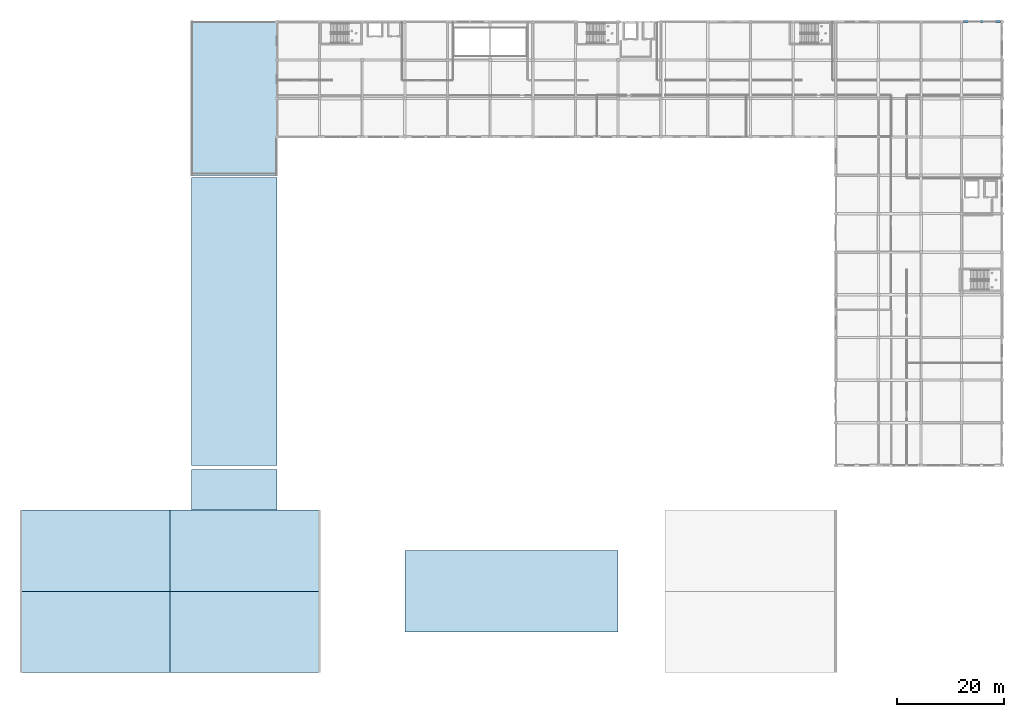
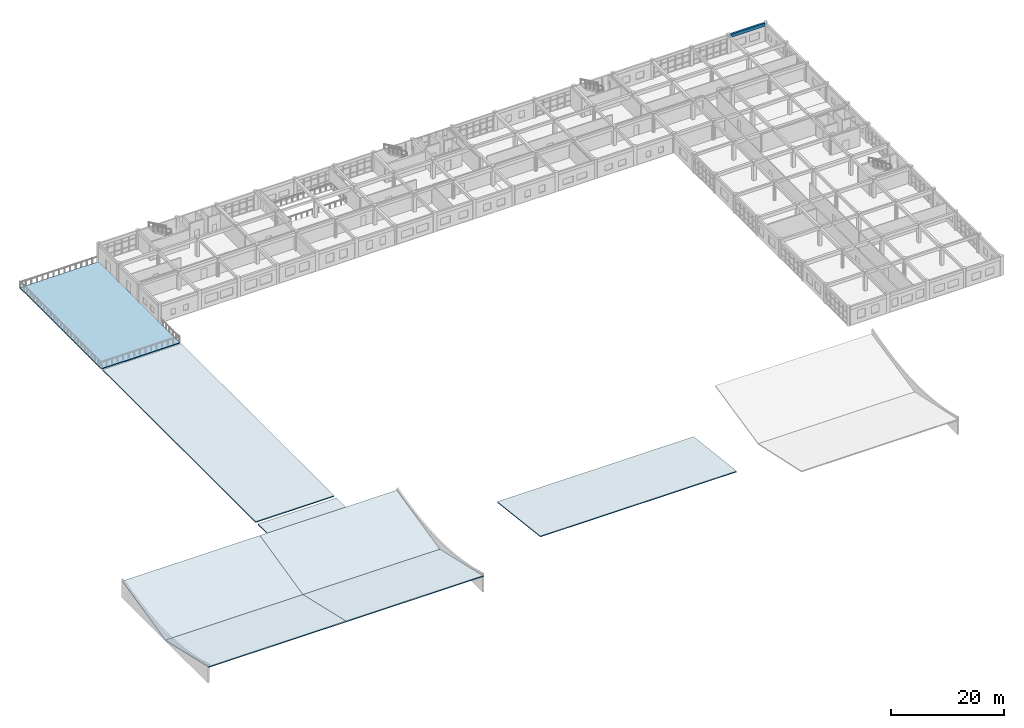
# One storey, part 34 of 53: 8 slabs, 1 beam.
"""IFC4 building model written with IfcOpenShell, lengths in metres."""

import ifcopenshell
import ifcopenshell.guid

model = None  # the IFC model being written
_history = None  # IfcOwnerHistory: only IFC2X3 demands one
_inside = {}  # id of a spatial element -> (the spatial element, [elements in it])
_under = {}  # id of a project, library or spatial element -> (it, [spatial elements below it])
_declared = {}  # id of a project -> (the project, [libraries it declares])
_typed = {}  # id of a type object -> (the type object, [elements of that type])
_made_of = {}  # id of a material, layer set ... -> (it, [elements and type objects made of it])


def new_model(schema):
    """Start an empty IFC model of exactly this schema.

    Asked for "IFC4X3", IfcOpenShell would pick the latest addendum, in which some entities
    have other attributes; the version numbers below select the first issue.
    IFC2X3 requires an IfcOwnerHistory on every rooted entity: one is made here for all.
    """
    global model, _history
    if schema == "IFC4X3":
        model = ifcopenshell.file(schema_version=(4, 3, 0, 0))
    else:
        model = ifcopenshell.file(schema=schema)
    _inside.clear()
    _under.clear()
    _declared.clear()
    _typed.clear()
    _made_of.clear()
    _history = None
    if model.schema == "IFC2X3":
        org = make("IfcOrganization", Name="unknown")
        user = make(
            "IfcPersonAndOrganization",
            ThePerson=make("IfcPerson", FamilyName="unknown"),
            TheOrganization=org,
        )
        app = make(
            "IfcApplication",
            ApplicationDeveloper=org,
            Version="unknown",
            ApplicationFullName="unknown",
            ApplicationIdentifier="unknown",
        )
        _history = make(
            "IfcOwnerHistory",
            OwningUser=user,
            OwningApplication=app,
            ChangeAction="ADDED",
            CreationDate=0,
        )
    return model


def make(cls, **values):
    """One entity of the class cls with the attributes given. An attribute that is None is left unset."""
    return model.create_entity(
        cls, **{name: value for name, value in values.items() if value is not None}
    )


def rooted(cls, **values):
    """An entity with a GlobalId (a new one), such as an element, a storey or a relation."""
    return make(cls, GlobalId=ifcopenshell.guid.new(), OwnerHistory=_history, **values)


def si_unit(unit_type, name, prefix=None):
    """IfcSIUnit, for example si_unit("LENGTHUNIT", "METRE", prefix="MILLI")."""
    return make("IfcSIUnit", UnitType=unit_type, Prefix=prefix, Name=name)


def assignment(units):
    """IfcUnitAssignment: the units of a project."""
    return None if units is None else make("IfcUnitAssignment", Units=units)


def point(xyz):
    """IfcCartesianPoint."""
    return None if xyz is None else make("IfcCartesianPoint", Coordinates=xyz)


def direction(xyz):
    """IfcDirection."""
    return None if xyz is None else make("IfcDirection", DirectionRatios=xyz)


def frame(location, z_axis=None, x_axis=None):
    """IfcAxis2Placement3D, a coordinate frame: its origin and axes. An axis left out is left unset."""
    return make(
        "IfcAxis2Placement3D",
        Location=point(location),
        Axis=direction(z_axis),
        RefDirection=direction(x_axis),
    )


def frame_2d(location, x_axis=None):
    """IfcAxis2Placement2D, a coordinate frame in the plane: its origin and x axis."""
    return make(
        "IfcAxis2Placement2D", Location=point(location), RefDirection=direction(x_axis)
    )


def origin():
    """The frame at (0, 0, 0) with its axes left unset."""
    return frame((0.0, 0.0, 0.0))


def origin_2d():
    """The frame at (0, 0) in the plane with its x axis left unset."""
    return frame_2d((0.0, 0.0))


def place(relative_to, where):
    """IfcLocalPlacement: puts the frame where relative to a parent placement (None: the world)."""
    return make(
        "IfcLocalPlacement", PlacementRelTo=relative_to, RelativePlacement=where
    )


def context(
    kind, dimensions, precision=None, world=None, true_north=None, identifier=None
):
    """IfcGeometricRepresentationContext, for example the 3D "Model" context."""
    return make(
        "IfcGeometricRepresentationContext",
        ContextIdentifier=identifier,
        ContextType=kind,
        CoordinateSpaceDimension=dimensions,
        Precision=precision,
        WorldCoordinateSystem=world,
        TrueNorth=true_north,
    )


def subcontext(parent, identifier, kind, view, scale=None):
    """IfcGeometricRepresentationSubContext, for example "Body" below "Model"."""
    return make(
        "IfcGeometricRepresentationSubContext",
        ContextIdentifier=identifier,
        ContextType=kind,
        ParentContext=parent,
        TargetScale=scale,
        TargetView=view,
    )


def project(units=None, contexts=None):
    """IfcProject with its units and contexts."""
    return rooted(
        "IfcProject",
        Name="project",
        RepresentationContexts=contexts,
        UnitsInContext=assignment(units),
    )


def spatial(cls, under=None, at=None, **own):
    """A site, building, storey or space (cls), placed at a placement, below another one or the project."""
    s = rooted(cls, ObjectPlacement=at, **own)
    if under is not None:
        _under.setdefault(under.id(), (under, []))[1].append(s)
    return s


def polyline(points):
    """IfcPolyline through the points."""
    return make("IfcPolyline", Points=[point(p) for p in points])


def profile(cls, at=None, kind="AREA", **sizes):
    """A parametric profile (cls). Its sizes go by their IFC names, for example OverallWidth=200.0."""
    return make(cls, ProfileType=kind, Position=at, **sizes)


def rectangle(**sizes):
    """IfcRectangleProfileDef."""
    return profile("IfcRectangleProfileDef", **sizes)


def outline(outer, holes=None, kind="AREA"):
    """IfcArbitraryClosedProfileDef: a profile drawn as a closed curve; with holes, ...WithVoids."""
    if holes is None:
        return make("IfcArbitraryClosedProfileDef", ProfileType=kind, OuterCurve=outer)
    return make(
        "IfcArbitraryProfileDefWithVoids",
        ProfileType=kind,
        OuterCurve=outer,
        InnerCurves=holes,
    )


def extrude(swept, where, along, depth):
    """IfcExtrudedAreaSolid: the profile swept, set in the frame where, extruded along a direction by depth."""
    return make(
        "IfcExtrudedAreaSolid",
        SweptArea=swept,
        Position=where,
        ExtrudedDirection=direction(along),
        Depth=depth,
    )


def shape(context_of_items, identifier, shape_type, items):
    """IfcShapeRepresentation: the items that make up one representation, for example the "Body"."""
    return make(
        "IfcShapeRepresentation",
        ContextOfItems=context_of_items,
        RepresentationIdentifier=identifier,
        RepresentationType=shape_type,
        Items=items,
    )


def material(Name=None, Category=None):
    """IfcMaterial."""
    return make("IfcMaterial", Name=Name, Category=Category)


def layer(
    of_material, thickness, ventilated=None, Name=None, Category=None, Priority=None
):
    """IfcMaterialLayer: one layer of a wall or slab, of a material (None: an air gap)."""
    return make(
        "IfcMaterialLayer",
        Material=of_material,
        LayerThickness=thickness,
        IsVentilated=ventilated,
        Name=Name,
        Category=Category,
        Priority=Priority,
    )


def layer_set(layers, Name=None):
    """IfcMaterialLayerSet."""
    return make("IfcMaterialLayerSet", MaterialLayers=layers, LayerSetName=Name)


def material_profile(
    of_material, cross_section, Name=None, Category=None, Priority=None
):
    """IfcMaterialProfile: a cross section and its material."""
    return make(
        "IfcMaterialProfile",
        Name=Name,
        Material=of_material,
        Profile=cross_section,
        Priority=Priority,
        Category=Category,
    )


def profile_set(profiles, Name=None, composite=None):
    """IfcMaterialProfileSet."""
    return make(
        "IfcMaterialProfileSet",
        Name=Name,
        MaterialProfiles=profiles,
        CompositeProfile=composite,
    )


def made_of(thing, what):
    """Note that an element or type object is made of a material, layer set ...; save() writes the relation."""
    if what is not None:
        _made_of.setdefault(what.id(), (what, []))[1].append(thing)
    return thing


def type_object(cls, material=None, **own):
    """A type object (cls), such as IfcWallType, which elements share."""
    return made_of(rooted(cls, **own), material)


def element(
    cls,
    number,
    at=None,
    inside=None,
    cuts=None,
    type_object=None,
    material=None,
    context=None,
    identifier="Body",
    shape_type=None,
    held_by="IfcProductDefinitionShape",
    body=None,
    shapes=None,
    **own,
):
    """One element of the class cls, such as IfcWall. Its Tag is "e" and its number.

    at: its placement. inside: the storey or other place that contains it. cuts: it is an
    opening in that element (IfcRelVoidsElement). A single representation is given by context,
    identifier, shape_type and body (its items); several are given by shapes. held_by: the class
    of the entity that holds the representations. save() writes the other relations.
    """
    e = rooted(cls, Tag="e%d" % number, ObjectPlacement=at, **own)
    if body is not None:
        shapes = [shape(context, identifier, shape_type, body)]
    if shapes is not None:
        e.Representation = make(held_by, Representations=shapes)
    if inside is not None:
        _inside.setdefault(inside.id(), (inside, []))[1].append(e)
    if cuts is not None:
        rooted(
            "IfcRelVoidsElement", RelatingBuildingElement=cuts, RelatedOpeningElement=e
        )
    if type_object is not None:
        _typed.setdefault(type_object.id(), (type_object, []))[1].append(e)
    return made_of(e, material)


def aggregate(whole, parts):
    """IfcRelAggregates: a whole, such as a stair, and the parts it consists of."""
    return rooted("IfcRelAggregates", RelatingObject=whole, RelatedObjects=parts)


def save(model, path):
    """Write the relations noted so far, then the file.

    IfcRelAggregates (storeys below a building ...), IfcRelContainedInSpatialStructure (elements
    in a storey), IfcRelDefinesByType, IfcRelAssociatesMaterial and IfcRelDeclares: one each for
    every whole, place, type object, material and project.
    """
    for whole, parts in _under.values():
        aggregate(whole, parts)
    for where, things in _inside.values():
        rooted(
            "IfcRelContainedInSpatialStructure",
            RelatedElements=things,
            RelatingStructure=where,
        )
    for kind, things in _typed.values():
        rooted("IfcRelDefinesByType", RelatedObjects=things, RelatingType=kind)
    for what, things in _made_of.values():
        rooted("IfcRelAssociatesMaterial", RelatedObjects=things, RelatingMaterial=what)
    for by, libraries in _declared.values():
        rooted("IfcRelDeclares", RelatingContext=by, RelatedDefinitions=libraries)
    model.write(path)


model = new_model("IFC4")

# Units and contexts
model_context = context("Model", 3, precision=1e-05, world=origin(), true_north=direction((0.0, 1.0)))
body_context = subcontext(model_context, "Body", "Model", "MODEL_VIEW")
ifc_project = project(units=[si_unit("LENGTHUNIT", "METRE"), si_unit("AREAUNIT", "SQUARE_METRE"), si_unit("VOLUMEUNIT", "CUBIC_METRE"), si_unit("PLANEANGLEUNIT", "RADIAN"), si_unit("MASSUNIT", "GRAM", prefix="KILO")], contexts=[model_context])

# Site, building, storey
site_placement = place(None, origin())
site = spatial("IfcSite", under=ifc_project, at=site_placement, CompositionType="ELEMENT")
building_placement = place(site_placement, origin())
building = spatial("IfcBuilding", under=site, at=building_placement, Name="Kharva Crest Polytechnic", CompositionType="ELEMENT")
storey_placement = place(building_placement, frame((0.0, 0.0, 17.39990234375)))
storey = spatial("IfcBuildingStorey", under=building, at=storey_placement, Name="L04", CompositionType="ELEMENT", Elevation=17.39990234375)

# Beam
ifc_material = material(Name="Concrete C35/45", Category="concrete")
ifc_material_profile = material_profile(ifc_material, rectangle(XDim=0.3798828125, YDim=0.679931640625, at=origin_2d()), Name="RECT 380 X 680")
ifc_profile_set = profile_set([ifc_material_profile], Name="Concrete C35/45")
beam_type = type_object("IfcBeamType", Name="SP-RC-380X680", PredefinedType="SPANDREL", material=ifc_profile_set)
beam_placement = place(storey_placement, frame((176.739990234375, 122.0, 3.630126953125), z_axis=(1.0, 0.0, 0.0), x_axis=(0.0, 1.0, 0.0)))
element("IfcBeam", 1, at=beam_placement, inside=storey, type_object=beam_type, Name="L04 Beam S/23-24", PredefinedType="SPANDREL", context=body_context, shape_type="SweptSolid", body=[
    extrude(rectangle(XDim=0.3798828125, YDim=0.679931640625, at=origin_2d()), origin(), (0.0, 0.0, 1.0), 6.93994140625),
])

# Slabs
ifc_layer_1 = layer(ifc_material, 0.195068359375, Name="Concrete C35/45")
ifc_layer_set_1 = layer_set([ifc_layer_1], Name="Concrete C35/45")
slab_type_1 = type_object("IfcSlabType", Name="SLB-ROOF-195", PredefinedType="ROOF", material=ifc_layer_set_1)
for number, where, z_axis, x_axis, name in (
    (2, (0.0, 0.0, 3.5), (0.0, 0.224391933133, 0.97449897914), (1.0, 0.0, 0.0), "Lecture Pavilion South Sloped Roof W"),
    (3, (0.0, 15.199951171875, 0.0), (0.0, -0.224391933133, 0.97449897914), (1.0, 0.0, 0.0), "Lecture Pavilion North Sloped Roof W"),
    (4, (28.0, 0.0, 3.5), (0.0, 0.224391933133, 0.97449897914), (1.0, 0.0, 0.0), "Lecture Pavilion South Sloped Roof E"),
    (5, (28.0, 15.199951171875, 0.0), (0.0, -0.224391933133, 0.97449897914), (1.0, 0.0, 0.0), "Lecture Pavilion North Sloped Roof E"),
):
    element("IfcSlab", number, at=place(storey_placement, frame(where, z_axis=z_axis, x_axis=x_axis)), inside=storey, type_object=slab_type_1, Name=name, PredefinedType="ROOF", context=body_context, shape_type="SweptSolid", body=[
        extrude(outline(polyline([(0.0, 0.0), (28.0, 0.0), (28.0, 15.597708665935013), (0.0, 15.597708665935013), (0.0, 0.0)])), origin(), (0.0, 0.0, -1.0), 0.195068359375),
    ])
slab_1_placement = place(storey_placement, frame((72.0, 7.60009765625, 1.800048828125), z_axis=(0.0, 0.117602862063, 0.99306070652), x_axis=(1.0, 0.0, 0.0)))
element("IfcSlab", 6, at=slab_1_placement, inside=storey, type_object=slab_type_1, Name="South Senate Pavilion Sloped Roof", PredefinedType="ROOF", context=body_context, shape_type="SweptSolid", body=[
    extrude(outline(polyline([(0.0, 0.0), (40.0, 0.0), (40.0, 15.306165143856848), (0.0, 15.306165143856848), (0.0, 0.0)])), origin(), (0.0, 0.0, -1.0), 0.195068359375),
])
ifc_layer_2 = layer(ifc_material, 0.22509765625, Name="Concrete C35/45")
ifc_layer_set_2 = layer_set([ifc_layer_2], Name="Concrete C35/45")
slab_type_2 = type_object("IfcSlabType", Name="SLB-ROOF-225", PredefinedType="ROOF", material=ifc_layer_set_2)
slab_2_placement = place(storey_placement, frame((0.0, 0.0, -0.224853515625)))
element("IfcSlab", 7, at=slab_2_placement, inside=storey, type_object=slab_type_2, Name="SW Link Flat Roof Slab", PredefinedType="ROOF", context=body_context, shape_type="SweptSolid", body=[
    extrude(outline(polyline([(32.0, 30.39990234375), (48.0, 30.39990234375), (48.0, 38.0), (32.0, 38.0), (32.0, 30.39990234375)])), origin(), (0.0, 0.0, 1.0), 0.224853515625),
])
slab_3_placement = place(storey_placement, frame((0.0, 0.0, -0.224853515625)))
element("IfcSlab", 8, at=slab_3_placement, inside=storey, type_object=slab_type_2, Name="Workshop Mezzanine Wing Roof Slab", PredefinedType="ROOF", context=body_context, shape_type="SweptSolid", body=[
    extrude(outline(polyline([(32.0, 38.800048828125), (48.0, 38.800048828125), (48.0, 92.800048828125), (32.0, 92.800048828125), (32.0, 38.800048828125)])), origin(), (0.0, 0.0, 1.0), 0.224853515625),
])
ifc_layer_3 = layer(ifc_material, 0.215087890625, Name="Concrete C35/45")
ifc_layer_set_3 = layer_set([ifc_layer_3], Name="Concrete C35/45")
slab_type_3 = type_object("IfcSlabType", Name="SLB-TER-215", PredefinedType="FLOOR", material=ifc_layer_set_3)
slab_4_placement = place(storey_placement, frame((0.0, 0.0, -0.21484375)))
element("IfcSlab", 9, at=slab_4_placement, inside=storey, type_object=slab_type_3, Name="L04 Outdoor Terrace Slab TER_NW_L04", PredefinedType="FLOOR", context=body_context, shape_type="SweptSolid", body=[
    extrude(outline(polyline([(32.0, 93.199951171875), (48.0, 93.199951171875), (48.0, 122.0), (32.0, 122.0), (32.0, 93.199951171875)])), origin(), (0.0, 0.0, 1.0), 0.21484375),
])

save(model, "model.ifc")
